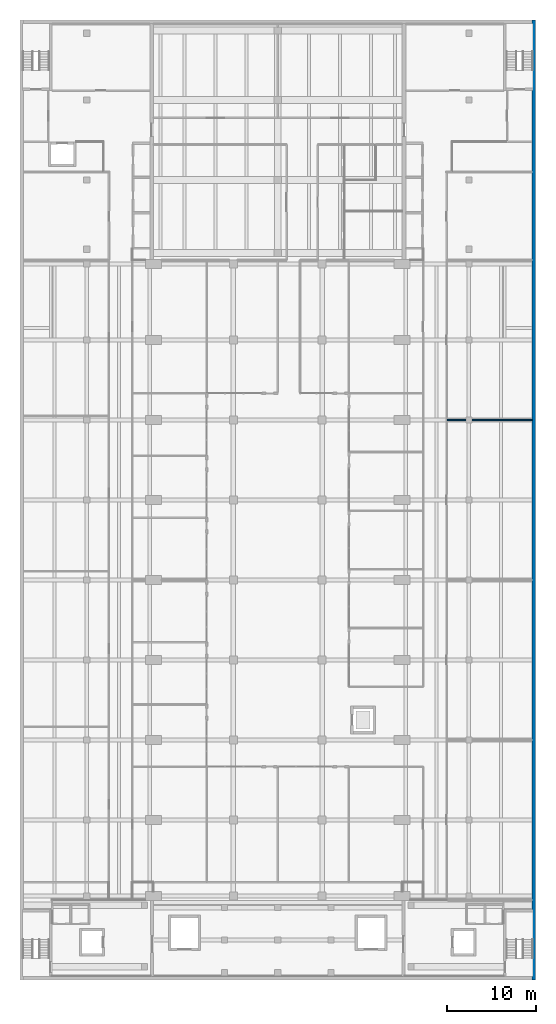
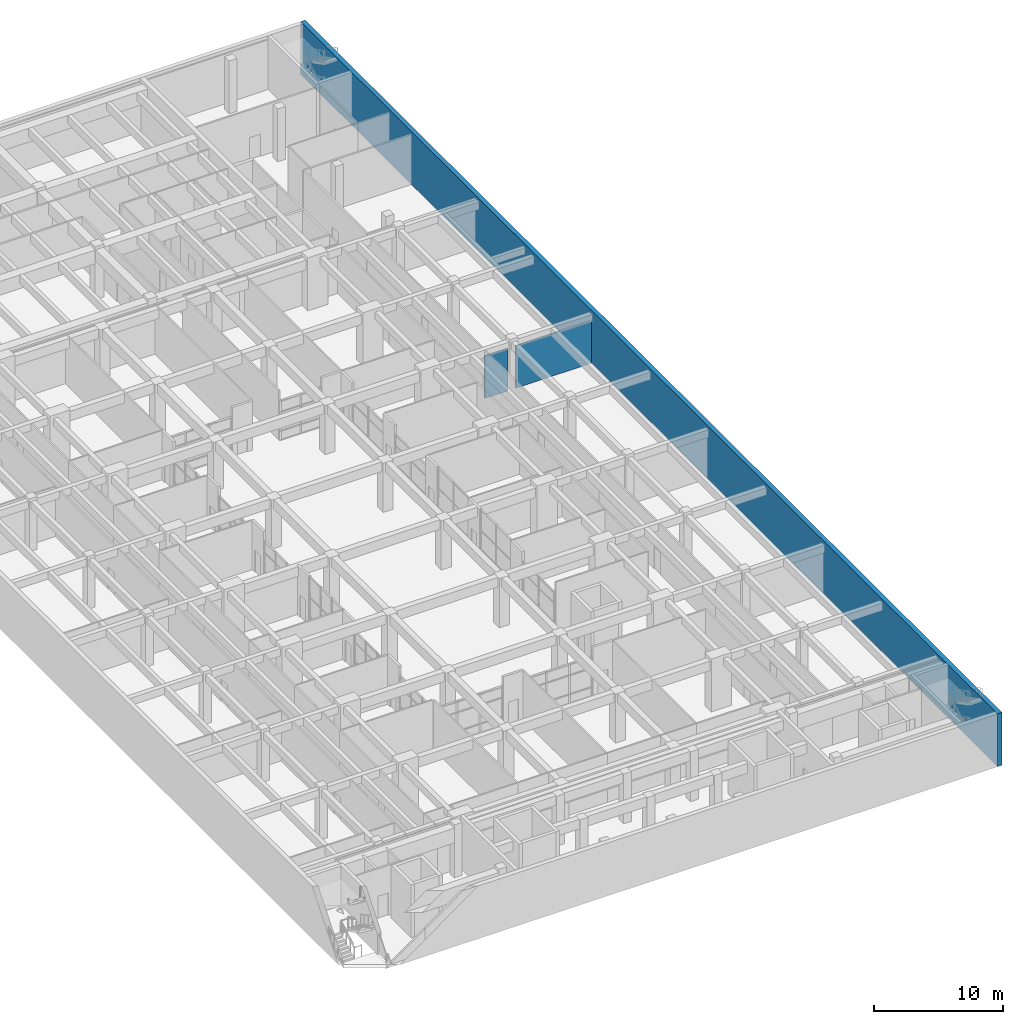
# One storey, part 22 of 29: 3 walls.
"""IFC4 building model written with IfcOpenShell, lengths in metres."""

from ifc_helpers import new_model, si_unit, direction, frame, frame_2d, origin, place, context, subcontext, project, spatial, rectangle, extrude, material, layer, layer_set, type_object, element, save


model = new_model("IFC4")

# Units and contexts
model_context = context("Model", 3, precision=1e-05, world=origin(), true_north=direction((0.0, 1.0)))
body_context = subcontext(model_context, "Body", "Model", "MODEL_VIEW")
ifc_project = project(units=[si_unit("LENGTHUNIT", "METRE"), si_unit("AREAUNIT", "SQUARE_METRE"), si_unit("VOLUMEUNIT", "CUBIC_METRE"), si_unit("PLANEANGLEUNIT", "RADIAN"), si_unit("MASSUNIT", "GRAM", prefix="KILO")], contexts=[model_context])

# Site, building, storey
site_placement = place(None, origin())
site = spatial("IfcSite", under=ifc_project, at=site_placement, CompositionType="ELEMENT")
building_placement = place(site_placement, origin())
building = spatial("IfcBuilding", under=site, at=building_placement, Name="Elmora Arch Market Hall", CompositionType="ELEMENT")
storey_placement = place(building_placement, frame((0.0, 0.0, -5.0)))
storey = spatial("IfcBuildingStorey", under=building, at=storey_placement, Name="LG", CompositionType="ELEMENT", Elevation=-5.0)

# Walls
ifc_material_1 = material(Name="Concrete C40/50", Category="concrete")
ifc_layer_1 = layer(ifc_material_1, 0.39990234375)
ifc_layer_set_1 = layer_set([ifc_layer_1], Name="Concrete C40/50")
wall_type_1 = type_object("IfcWallType", Name="Basement wall 400", PredefinedType="SOLIDWALL", material=ifc_layer_set_1)
wall_1_placement = place(storey_placement, frame((57.800048828125, 18.0, 0.0), z_axis=(0.0, 0.0, 1.0), x_axis=(0.0, 1.0, 0.0)))
element("IfcWall", 1, at=wall_1_placement, inside=storey, type_object=wall_type_1, Name="Basement wall E LG", PredefinedType="SOLIDWALL", context=body_context, shape_type="SweptSolid", body=[
    extrude(rectangle(XDim=108.0, YDim=0.39990234375, at=frame_2d((54.0, 0.0))), origin(), (0.0, 0.0, 1.0), 5.0),
])
ifc_material_2 = material(Name="Gypsum board on metal studs")
ifc_layer_2 = layer(ifc_material_2, 0.125)
ifc_layer_set_2 = layer_set([ifc_layer_2], Name="Gypsum board on metal studs")
wall_type_2 = type_object("IfcWallType", Name="Partition 125 EI 60", PredefinedType="PARTITIONING", material=ifc_layer_set_2)
wall_2_placement = place(storey_placement, frame((48.0625, 81.0, 0.0), z_axis=(0.0, 0.0, 1.0), x_axis=(1.0, 0.0, 0.0)))
element("IfcWall", 2, at=wall_2_placement, inside=storey, type_object=wall_type_2, Name="Partition PT-LG-037-39", PredefinedType="PARTITIONING", context=body_context, shape_type="SweptSolid", body=[
    extrude(rectangle(XDim=2.08740234375, YDim=0.125, at=frame_2d((1.043701171875, 0.0))), origin(), (0.0, 0.0, 1.0), 4.0),
])
wall_3_placement = place(storey_placement, frame((50.85009765625, 81.0, 0.0), z_axis=(0.0, 0.0, 1.0), x_axis=(1.0, 0.0, 0.0)))
element("IfcWall", 3, at=wall_3_placement, inside=storey, type_object=wall_type_2, Name="Partition PT-LG-037-40", PredefinedType="PARTITIONING", context=body_context, shape_type="SweptSolid", body=[
    extrude(rectangle(XDim=6.75, YDim=0.125, at=frame_2d((3.375, 0.0))), origin(), (0.0, 0.0, 1.0), 4.0),
])

save(model, "model.ifc")
